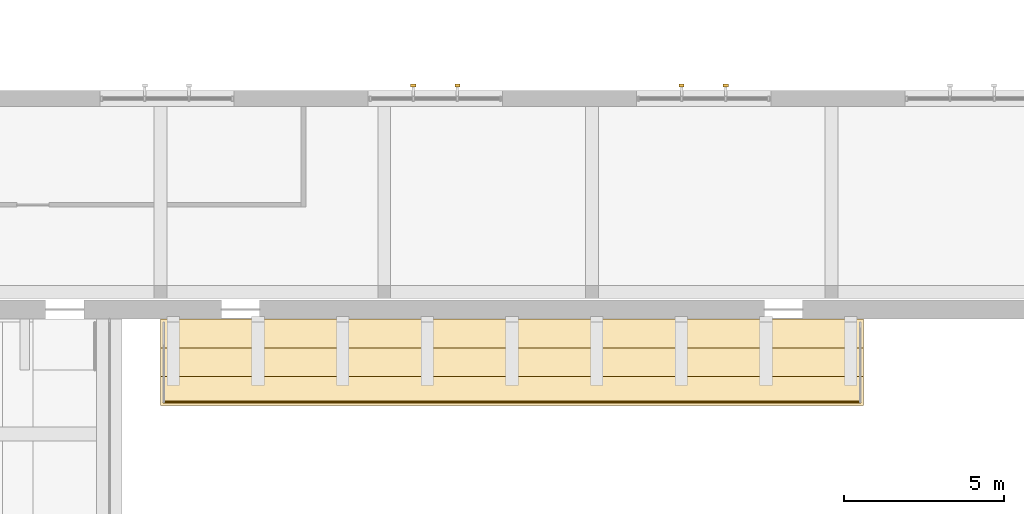
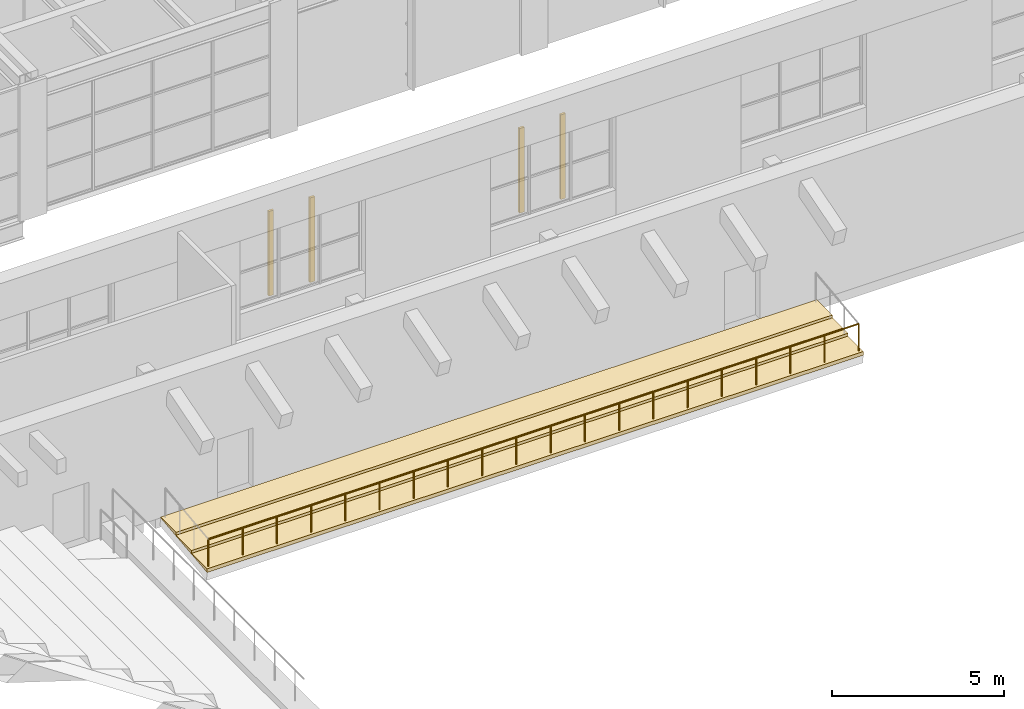
# One storey, part 119 of 127: 4 shading devices, 1 covering, 1 railing.
"""IFC4 building model written with IfcOpenShell, lengths in metres."""

from ifc_helpers import new_model, si_unit, direction, frame, origin, origin_2d, place, context, subcontext, project, spatial, polyline, rectangle, circle, outline, extrude, material, layer, layer_set, type_object, element, save


model = new_model("IFC4")

# Units and contexts
model_context = context("Model", 3, precision=1e-05, world=origin(), true_north=direction((0.0, 1.0)))
body_context = subcontext(model_context, "Body", "Model", "MODEL_VIEW")
ifc_project = project(units=[si_unit("LENGTHUNIT", "METRE"), si_unit("AREAUNIT", "SQUARE_METRE"), si_unit("VOLUMEUNIT", "CUBIC_METRE"), si_unit("PLANEANGLEUNIT", "RADIAN"), si_unit("MASSUNIT", "GRAM", prefix="KILO")], contexts=[model_context])

# Site, building, storey
site_placement = place(None, origin())
site = spatial("IfcSite", under=ifc_project, at=site_placement, CompositionType="ELEMENT")
building_placement = place(site_placement, origin())
building = spatial("IfcBuilding", under=site, at=building_placement, Name="Ljudholm Concert House", CompositionType="ELEMENT")
storey_placement = place(building_placement, frame((0.0, 0.0, 5.39990234375)))
storey = spatial("IfcBuildingStorey", under=building, at=storey_placement, Name="L01", CompositionType="ELEMENT", Elevation=5.39990234375)

# Shading devices
ifc_material_1 = material(Name="Aluminium extrusion with timber-grain PVDF finish", Category="aluminium")
shading_device_type = type_object("IfcShadingDeviceType", Name="FACADE FIN 80x160", PredefinedType="SHUTTER", material=ifc_material_1)
for number, where, z_axis, x_axis, name in (
    (1, (57.909912109375, 96.81005859375, 0.7001953125), (0.0, 0.0, 1.0), (0.0, 1.0, 0.0), "Facade fin"),
    (2, (59.2900390625, 96.81005859375, 0.7001953125), (0.0, 0.0, 1.0), (0.0, 1.0, 0.0), "Facade fin"),
    (3, (66.31005859375, 96.81005859375, 0.7001953125), (0.0, 0.0, 1.0), (0.0, 1.0, 0.0), "Facade fin"),
    (4, (67.68994140625, 96.81005859375, 0.7001953125), (0.0, 0.0, 1.0), (0.0, 1.0, 0.0), "Facade fin"),
):
    element("IfcShadingDevice", number, at=place(storey_placement, frame(where, z_axis=z_axis, x_axis=x_axis)), inside=storey, type_object=shading_device_type, Name=name, PredefinedType="SHUTTER", context=body_context, shape_type="SweptSolid", body=[
        extrude(rectangle(XDim=0.080078125, YDim=0.159912109375, at=origin_2d()), origin(), (0.0, 0.0, 1.0), 3.0),
    ])

# Railing
ifc_material_2 = material(Name="Steel ASTM A36", Category="steel")
railing_type = type_object("IfcRailingType", Name="GUARD 1100", PredefinedType="GUARDRAIL", material=ifc_material_2)
railing_placement = place(storey_placement, frame((50.10009765625, 86.89990234375, -0.288818359375)))
element("IfcRailing", 5, at=railing_placement, inside=storey, type_object=railing_type, Name="Gallery guard", PredefinedType="GUARDRAIL", context=body_context, shape_type="SweptSolid", body=[
    extrude(circle(Radius=0.02490234375, at=origin_2d()), frame((0.0, 0.0, 1.0751953125), z_axis=(1.0, 0.0, 0.0), x_axis=(0.0, 1.0, 0.0)), (0.0, 0.0, 1.0), 21.7998046875),
    extrude(circle(Radius=0.02099609375, at=origin_2d()), origin(), (0.0, 0.0, 1.0), 1.050048828125),
    extrude(circle(Radius=0.02099609375, at=origin_2d()), frame((1.1474609375, 0.0, 0.0)), (0.0, 0.0, 1.0), 1.050048828125),
    extrude(circle(Radius=0.02099609375, at=origin_2d()), frame((2.294677734375, 0.0, 0.0)), (0.0, 0.0, 1.0), 1.050048828125),
    extrude(circle(Radius=0.02099609375, at=origin_2d()), frame((3.442138671875, 0.0, 0.0)), (0.0, 0.0, 1.0), 1.050048828125),
    extrude(circle(Radius=0.02099609375, at=origin_2d()), frame((4.58935546875, 0.0, 0.0)), (0.0, 0.0, 1.0), 1.050048828125),
    extrude(circle(Radius=0.02099609375, at=origin_2d()), frame((5.73681640625, 0.0, 0.0)), (0.0, 0.0, 1.0), 1.050048828125),
    extrude(circle(Radius=0.02099609375, at=origin_2d()), frame((6.884033203125, 0.0, 0.0)), (0.0, 0.0, 1.0), 1.050048828125),
    extrude(circle(Radius=0.02099609375, at=origin_2d()), frame((8.031494140625, 0.0, 0.0)), (0.0, 0.0, 1.0), 1.050048828125),
    extrude(circle(Radius=0.02099609375, at=origin_2d()), frame((9.178955078125, 0.0, 0.0)), (0.0, 0.0, 1.0), 1.050048828125),
    extrude(circle(Radius=0.02099609375, at=origin_2d()), frame((10.326171875, 0.0, 0.0)), (0.0, 0.0, 1.0), 1.050048828125),
    extrude(circle(Radius=0.02099609375, at=origin_2d()), frame((11.4736328125, 0.0, 0.0)), (0.0, 0.0, 1.0), 1.050048828125),
    extrude(circle(Radius=0.02099609375, at=origin_2d()), frame((12.620849609375, 0.0, 0.0)), (0.0, 0.0, 1.0), 1.050048828125),
    extrude(circle(Radius=0.02099609375, at=origin_2d()), frame((13.768310546875, 0.0, 0.0)), (0.0, 0.0, 1.0), 1.050048828125),
    extrude(circle(Radius=0.02099609375, at=origin_2d()), frame((14.915771484375, 0.0, 0.0)), (0.0, 0.0, 1.0), 1.050048828125),
    extrude(circle(Radius=0.02099609375, at=origin_2d()), frame((16.06298828125, 0.0, 0.0)), (0.0, 0.0, 1.0), 1.050048828125),
    extrude(circle(Radius=0.02099609375, at=origin_2d()), frame((17.21044921875, 0.0, 0.0)), (0.0, 0.0, 1.0), 1.050048828125),
    extrude(circle(Radius=0.02099609375, at=origin_2d()), frame((18.357666015625, 0.0, 0.0)), (0.0, 0.0, 1.0), 1.050048828125),
    extrude(circle(Radius=0.02099609375, at=origin_2d()), frame((19.505126953125, 0.0, 0.0)), (0.0, 0.0, 1.0), 1.050048828125),
    extrude(circle(Radius=0.02099609375, at=origin_2d()), frame((20.65234375, 0.0, 0.0)), (0.0, 0.0, 1.0), 1.050048828125),
    extrude(circle(Radius=0.02099609375, at=origin_2d()), frame((21.7998046875, 0.0, 0.0)), (0.0, 0.0, 1.0), 1.050048828125),
])

# Covering
ifc_material_3 = material(Name="Timber seating tread", Category="wood")
ifc_layer = layer(ifc_material_3, 0.030029296875)
ifc_layer_set = layer_set([ifc_layer], Name="Timber seating tread")
covering_type = type_object("IfcCoveringType", Name="TIMBER SEATING TREAD FLOOR FINISH 30", PredefinedType="FLOORING", material=ifc_layer_set)
covering_placement = place(storey_placement, frame((61.0, 86.800048828125, -5.39990234375), z_axis=(0.0, 0.0, 1.0), x_axis=(0.0, 1.0, 0.0)))
element("IfcCovering", 6, at=covering_placement, inside=storey, type_object=covering_type, Name="Lower gallery North seating steps", PredefinedType="FLOORING", context=body_context, shape_type="SweptSolid", body=[
    extrude(outline(polyline([(0.0, 5.10009765625), (2.699951171875, 5.39990234375), (2.699951171875, 5.429931640625), (1.800048828125, 5.429931640625), (1.800048828125, 5.330078125), (0.89990234375, 5.330078125), (0.89990234375, 5.22998046875), (0.0, 5.22998046875), (0.0, 5.10009765625)])), frame((0.0, 11.0, 0.0), z_axis=(0.0, -1.0, 0.0), x_axis=(1.0, 0.0, 0.0)), (0.0, 0.0, 1.0), 22.0),
])

save(model, "model.ifc")
